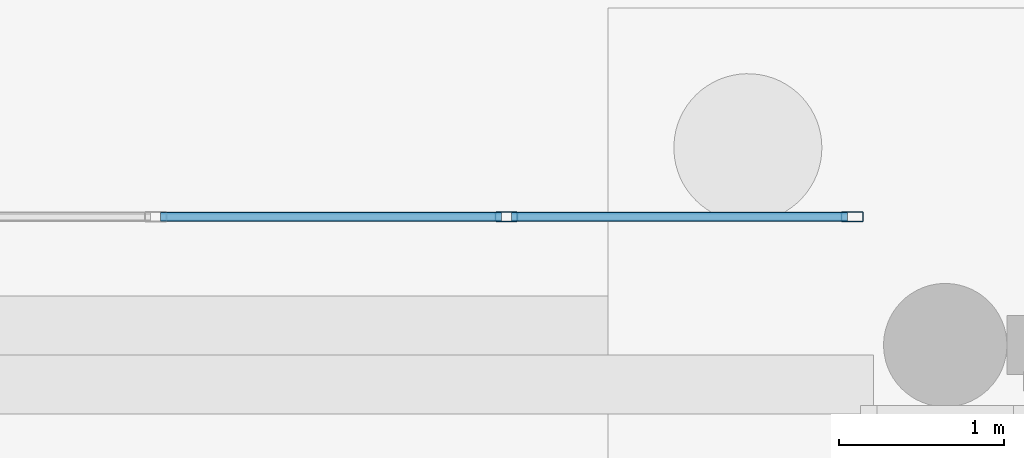
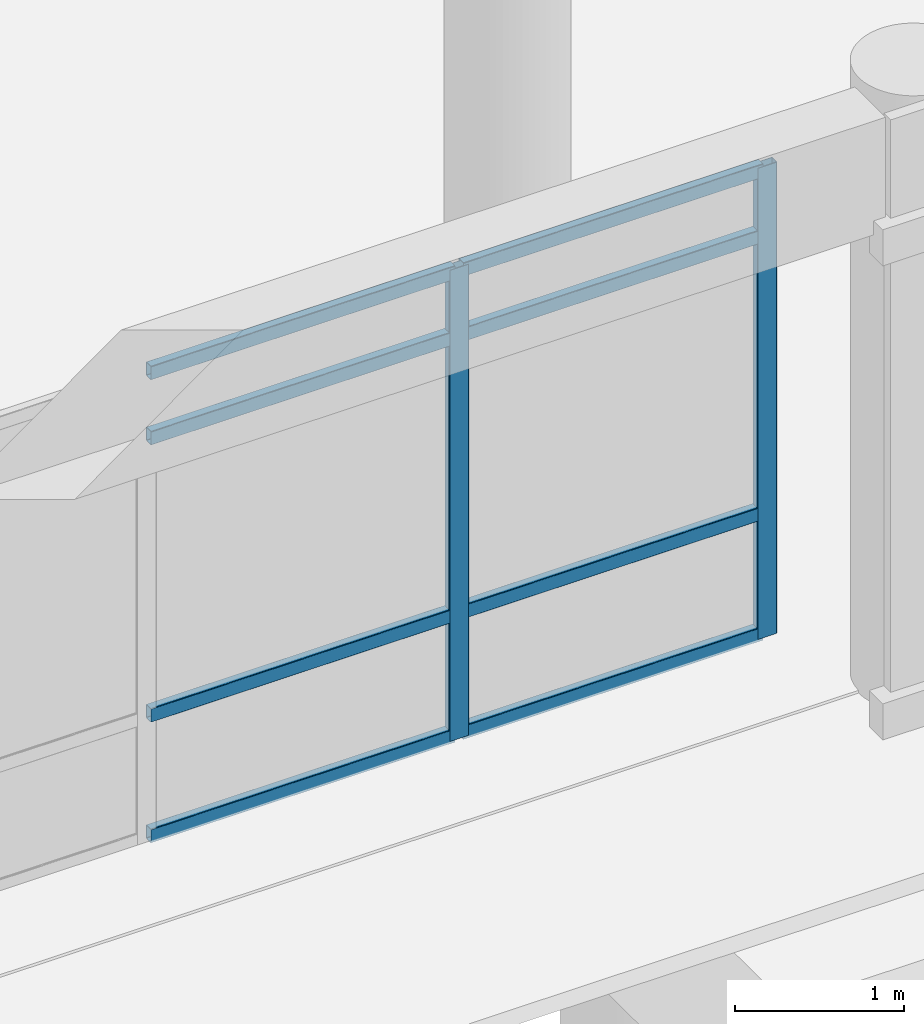
# One storey, part 124 of 196: 10 members, 1 element without a shape of its own.
"""IFC4 building model written with IfcOpenShell, lengths in metres."""

from ifc_helpers import new_model, si_unit, direction, frame, origin, origin_2d, place, context, subcontext, project, spatial, hollow_rectangle, extrude, material, layer, layer_set, material_profile, profile_set, type_object, element, aggregate, save


model = new_model("IFC4")

# Units and contexts
model_context = context("Model", 3, precision=1e-05, world=origin(), true_north=direction((0.0, 1.0)))
body_context = subcontext(model_context, "Body", "Model", "MODEL_VIEW")
ifc_project = project(units=[si_unit("LENGTHUNIT", "METRE"), si_unit("AREAUNIT", "SQUARE_METRE"), si_unit("VOLUMEUNIT", "CUBIC_METRE"), si_unit("PLANEANGLEUNIT", "RADIAN"), si_unit("MASSUNIT", "GRAM", prefix="KILO")], contexts=[model_context])

# Site, building, storey
site_placement = place(None, origin())
site = spatial("IfcSite", under=ifc_project, at=site_placement, CompositionType="ELEMENT")
building_placement = place(site_placement, origin())
building = spatial("IfcBuilding", under=site, at=building_placement, Name="Asteropetra Specialist Clinic", CompositionType="ELEMENT")
storey_placement = place(building_placement, origin())
storey = spatial("IfcBuildingStorey", under=building, at=storey_placement, Name="L00", CompositionType="ELEMENT", Elevation=0.0)

# Curtain wall, members
ifc_material_1 = material(Name="Aluminium and low-E glass", Category="aluminium")
ifc_layer = layer(ifc_material_1, 0.14990234375)
ifc_layer_set = layer_set([ifc_layer], Name="Aluminium and low-E glass")
curtain_wall_type = type_object("IfcCurtainWallType", Name="CW-SYS-11", PredefinedType="USERDEFINED", material=ifc_layer_set)
curtain_wall_placement = place(storey_placement, origin())
curtain_wall = element("IfcCurtainWall", 1, at=curtain_wall_placement, inside=storey, type_object=curtain_wall_type, Name="Curtain Wall CW-194", ObjectType="STICK GLAZED COLONNADE", PredefinedType="USERDEFINED")
ifc_material_2 = material(Name="Aluminium 6063-T6", Category="aluminium")
ifc_material_profile_1 = material_profile(ifc_material_2, hollow_rectangle(XDim=0.06005859375, YDim=0.135009765625, WallThickness=0.00341796875, InnerFilletRadius=0.00341796875, OuterFilletRadius=0.007080078125, at=origin_2d()), Name="MUL 135x60x3.5")
ifc_profile_set_1 = profile_set([ifc_material_profile_1], Name="Aluminium 6063-T6")
member_type_1 = type_object("IfcMemberType", Name="CWM-135x60", PredefinedType="MULLION", material=ifc_profile_set_1)
member_1_placement = place(storey_placement, frame((141.33251953125, 0.780029296875, 0.0), z_axis=(0.0, 0.0, 1.0), x_axis=(0.0, 1.0, 0.0)))
member_1 = element("IfcMember", 2, at=member_1_placement, type_object=member_type_1, Name="CW-194 mullion 4", PredefinedType="MULLION", context=body_context, shape_type="SweptSolid", body=[
    extrude(hollow_rectangle(XDim=0.06005859375, YDim=0.135009765625, WallThickness=0.00341796875, InnerFilletRadius=0.00341796875, OuterFilletRadius=0.007080078125, at=origin_2d()), origin(), (0.0, 0.0, 1.0), 3.39990234375),
])
member_2_placement = place(storey_placement, frame((143.43505859375, 0.780029296875, 0.0), z_axis=(0.0, 0.0, 1.0), x_axis=(0.0, 1.0, 0.0)))
member_2 = element("IfcMember", 3, at=member_2_placement, type_object=member_type_1, Name="CW-194 mullion 5", PredefinedType="MULLION", context=body_context, shape_type="SweptSolid", body=[
    extrude(hollow_rectangle(XDim=0.06005859375, YDim=0.135009765625, WallThickness=0.00341796875, InnerFilletRadius=0.00341796875, OuterFilletRadius=0.007080078125, at=origin_2d()), origin(), (0.0, 0.0, 1.0), 3.39990234375),
])
ifc_material_3 = material(Name="Aluminium 6063-T6", Category="aluminium")
ifc_material_profile_2 = material_profile(ifc_material_3, hollow_rectangle(XDim=0.06005859375, YDim=0.10009765625, WallThickness=0.00341796875, InnerFilletRadius=0.00341796875, OuterFilletRadius=0.007080078125, at=origin_2d()), Name="TRN 100x60x3.5")
ifc_profile_set_2 = profile_set([ifc_material_profile_2], Name="Aluminium 6063-T6")
member_type_2 = type_object("IfcMemberType", Name="CWT-100x60", PredefinedType="USERDEFINED", material=ifc_profile_set_2)
member_3_placement = place(storey_placement, frame((139.22998046875, 0.780029296875, 0.030029296875), z_axis=(1.0, 0.0, 0.0), x_axis=(0.0, 1.0, 0.0)))
member_3 = element("IfcMember", 4, at=member_3_placement, type_object=member_type_2, Name="CW-194 transom 3.1", ObjectType="TRANSOM", PredefinedType="USERDEFINED", context=body_context, shape_type="SweptSolid", body=[
    extrude(hollow_rectangle(XDim=0.06005859375, YDim=0.10009765625, WallThickness=0.00341796875, InnerFilletRadius=0.00341796875, OuterFilletRadius=0.007080078125, at=origin_2d()), origin(), (0.0, 0.0, 1.0), 2.072509765625),
])
member_4_placement = place(storey_placement, frame((139.22998046875, 0.780029296875, 0.89990234375), z_axis=(1.0, 0.0, 0.0), x_axis=(0.0, 1.0, 0.0)))
member_4 = element("IfcMember", 5, at=member_4_placement, type_object=member_type_2, Name="CW-194 transom 3.2", ObjectType="TRANSOM", PredefinedType="USERDEFINED", context=body_context, shape_type="SweptSolid", body=[
    extrude(hollow_rectangle(XDim=0.06005859375, YDim=0.10009765625, WallThickness=0.00341796875, InnerFilletRadius=0.00341796875, OuterFilletRadius=0.007080078125, at=origin_2d()), origin(), (0.0, 0.0, 1.0), 2.072509765625),
])
member_5_placement = place(storey_placement, frame((139.22998046875, 0.780029296875, 2.89990234375), z_axis=(1.0, 0.0, 0.0), x_axis=(0.0, 1.0, 0.0)))
member_5 = element("IfcMember", 6, at=member_5_placement, type_object=member_type_2, Name="CW-194 transom 3.3", ObjectType="TRANSOM", PredefinedType="USERDEFINED", context=body_context, shape_type="SweptSolid", body=[
    extrude(hollow_rectangle(XDim=0.06005859375, YDim=0.10009765625, WallThickness=0.00341796875, InnerFilletRadius=0.00341796875, OuterFilletRadius=0.007080078125, at=origin_2d()), origin(), (0.0, 0.0, 1.0), 2.072509765625),
])
member_6_placement = place(storey_placement, frame((139.22998046875, 0.780029296875, 3.3701171875), z_axis=(1.0, 0.0, 0.0), x_axis=(0.0, 1.0, 0.0)))
member_6 = element("IfcMember", 7, at=member_6_placement, type_object=member_type_2, Name="CW-194 transom 3.4", ObjectType="TRANSOM", PredefinedType="USERDEFINED", context=body_context, shape_type="SweptSolid", body=[
    extrude(hollow_rectangle(XDim=0.06005859375, YDim=0.10009765625, WallThickness=0.00341796875, InnerFilletRadius=0.00341796875, OuterFilletRadius=0.007080078125, at=origin_2d()), origin(), (0.0, 0.0, 1.0), 2.072509765625),
])
member_7_placement = place(storey_placement, frame((141.362548828125, 0.780029296875, 0.030029296875), z_axis=(1.0, 0.0, 0.0), x_axis=(0.0, 1.0, 0.0)))
member_7 = element("IfcMember", 8, at=member_7_placement, type_object=member_type_2, Name="CW-194 transom 4.1", ObjectType="TRANSOM", PredefinedType="USERDEFINED", context=body_context, shape_type="SweptSolid", body=[
    extrude(hollow_rectangle(XDim=0.06005859375, YDim=0.10009765625, WallThickness=0.00341796875, InnerFilletRadius=0.00341796875, OuterFilletRadius=0.007080078125, at=origin_2d()), origin(), (0.0, 0.0, 1.0), 2.04248046875),
])
member_8_placement = place(storey_placement, frame((141.362548828125, 0.780029296875, 0.89990234375), z_axis=(1.0, 0.0, 0.0), x_axis=(0.0, 1.0, 0.0)))
member_8 = element("IfcMember", 9, at=member_8_placement, type_object=member_type_2, Name="CW-194 transom 4.2", ObjectType="TRANSOM", PredefinedType="USERDEFINED", context=body_context, shape_type="SweptSolid", body=[
    extrude(hollow_rectangle(XDim=0.06005859375, YDim=0.10009765625, WallThickness=0.00341796875, InnerFilletRadius=0.00341796875, OuterFilletRadius=0.007080078125, at=origin_2d()), origin(), (0.0, 0.0, 1.0), 2.04248046875),
])
member_9_placement = place(storey_placement, frame((141.362548828125, 0.780029296875, 2.89990234375), z_axis=(1.0, 0.0, 0.0), x_axis=(0.0, 1.0, 0.0)))
member_9 = element("IfcMember", 10, at=member_9_placement, type_object=member_type_2, Name="CW-194 transom 4.3", ObjectType="TRANSOM", PredefinedType="USERDEFINED", context=body_context, shape_type="SweptSolid", body=[
    extrude(hollow_rectangle(XDim=0.06005859375, YDim=0.10009765625, WallThickness=0.00341796875, InnerFilletRadius=0.00341796875, OuterFilletRadius=0.007080078125, at=origin_2d()), origin(), (0.0, 0.0, 1.0), 2.04248046875),
])
member_10_placement = place(storey_placement, frame((141.362548828125, 0.780029296875, 3.3701171875), z_axis=(1.0, 0.0, 0.0), x_axis=(0.0, 1.0, 0.0)))
member_10 = element("IfcMember", 11, at=member_10_placement, type_object=member_type_2, Name="CW-194 transom 4.4", ObjectType="TRANSOM", PredefinedType="USERDEFINED", context=body_context, shape_type="SweptSolid", body=[
    extrude(hollow_rectangle(XDim=0.06005859375, YDim=0.10009765625, WallThickness=0.00341796875, InnerFilletRadius=0.00341796875, OuterFilletRadius=0.007080078125, at=origin_2d()), origin(), (0.0, 0.0, 1.0), 2.04248046875),
])
aggregate(curtain_wall, [member_1, member_2, member_3, member_4, member_5, member_6, member_7, member_8, member_9, member_10])

save(model, "model.ifc")
